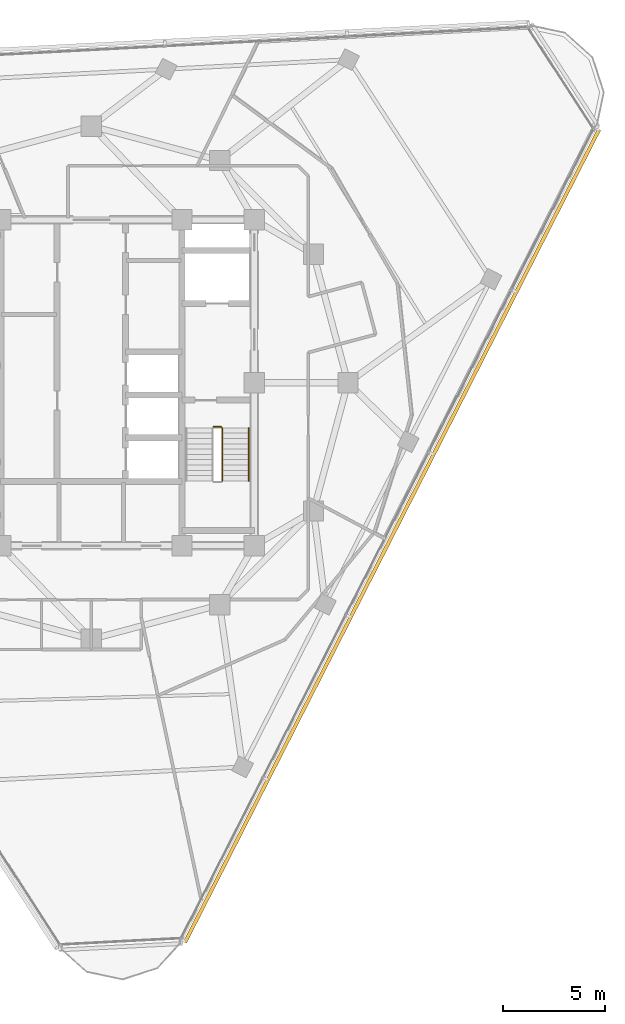
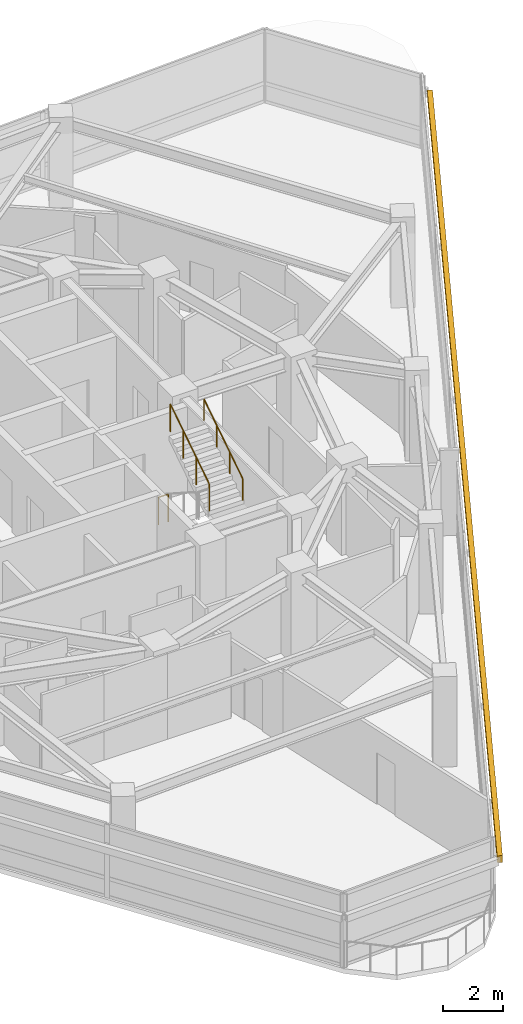
# One storey, part 13 of 15: 3 railings, 1 shading device.
"""IFC4 building model written with IfcOpenShell, lengths in metres."""

from ifc_helpers import new_model, si_unit, direction, frame, origin, origin_2d, place, context, subcontext, project, spatial, rectangle, circle, extrude, material, layer, layer_set, type_object, element, save


model = new_model("IFC4")

# Units and contexts
model_context = context("Model", 3, precision=1e-05, world=origin(), true_north=direction((0.0, 1.0)))
body_context = subcontext(model_context, "Body", "Model", "MODEL_VIEW")
ifc_project = project(units=[si_unit("LENGTHUNIT", "METRE"), si_unit("AREAUNIT", "SQUARE_METRE"), si_unit("VOLUMEUNIT", "CUBIC_METRE"), si_unit("PLANEANGLEUNIT", "RADIAN"), si_unit("MASSUNIT", "GRAM", prefix="KILO")], contexts=[model_context])

# Site, building, storey
site_placement = place(None, origin())
site = spatial("IfcSite", under=ifc_project, at=site_placement, CompositionType="ELEMENT")
building_placement = place(site_placement, origin())
building = spatial("IfcBuilding", under=site, at=building_placement, Name="Terralouvre Media Tower", CompositionType="ELEMENT")
storey_placement = place(building_placement, frame((0.0, 0.0, 263.300048828125)))
storey = spatial("IfcBuildingStorey", under=building, at=storey_placement, Name="L68", CompositionType="ELEMENT", Elevation=263.300048828125)

# Railings
ifc_material_1 = material(Name="Stainless steel 316 handrail and balustrade", Category="steel")
ifc_layer_1 = layer(ifc_material_1, 0.050048828125, Name="Stair Flight Wall Handrail HR-INT1")
ifc_layer_set_1 = layer_set([ifc_layer_1], Name="Stainless steel 316 handrail and balustrade")
railing_type_1 = type_object("IfcRailingType", Name="Stair Flight Wall Handrail HR-INT1", PredefinedType="HANDRAIL", material=ifc_layer_set_1)
railing_1_placement = place(storey_placement, frame((7.72998046875, -4.820068359375, 2.01806640625)))
element("IfcRailing", 1, at=railing_1_placement, inside=storey, type_object=railing_type_1, Name="L68 ST-02 stair handrail 2", PredefinedType="HANDRAIL", context=body_context, shape_type="SweptSolid", body=[
    extrude(circle(Radius=0.02392578125, at=origin_2d()), frame((0.0, 0.0, 0.8759765625), z_axis=(0.0, 0.839648411786, 0.543130320075), x_axis=(-1.0, 0.0, 0.0)), (0.0, 0.0, 1.0), 3.0966796875),
    extrude(circle(Radius=0.02099609375, at=origin_2d()), origin(), (0.0, 0.0, 1.0), 0.851806640625),
    extrude(circle(Radius=0.02099609375, at=origin_2d()), frame((0.0, 0.86669921875, 0.560546875)), (0.0, 0.0, 1.0), 0.851806640625),
    extrude(circle(Radius=0.02099609375, at=origin_2d()), frame((0.0, 1.7333984375, 1.121337890625)), (0.0, 0.0, 1.0), 0.851806640625),
    extrude(circle(Radius=0.02099609375, at=origin_2d()), frame((0.0, 2.60009765625, 1.681884765625)), (0.0, 0.0, 1.0), 0.851806640625),
])
ifc_material_2 = material(Name="Stainless steel 316 handrail and balustrade", Category="steel")
ifc_layer_2 = layer(ifc_material_2, 0.050048828125, Name="Stairwell Safety Guardrail GR-INT1")
ifc_layer_set_2 = layer_set([ifc_layer_2], Name="Stainless steel 316 handrail and balustrade")
railing_type_2 = type_object("IfcRailingType", Name="Stairwell Safety Guardrail GR-INT1", PredefinedType="GUARDRAIL", material=ifc_layer_set_2)
railing_2_placement = place(storey_placement, frame((6.429931640625, -4.820068359375, 2.01806640625)))
element("IfcRailing", 2, at=railing_2_placement, inside=storey, type_object=railing_type_2, Name="L68 ST-02 stair guard 3", PredefinedType="GUARDRAIL", context=body_context, shape_type="SweptSolid", body=[
    extrude(circle(Radius=0.02392578125, at=origin_2d()), frame((0.0, 0.0, 1.1259765625), z_axis=(0.0, 0.839648411786, 0.543130320075), x_axis=(-1.0, 0.0, 0.0)), (0.0, 0.0, 1.0), 3.0966796875),
    extrude(circle(Radius=0.02099609375, at=origin_2d()), origin(), (0.0, 0.0, 1.0), 1.101806640625),
    extrude(circle(Radius=0.02099609375, at=origin_2d()), frame((0.0, 0.86669921875, 0.560546875)), (0.0, 0.0, 1.0), 1.101806640625),
    extrude(circle(Radius=0.02099609375, at=origin_2d()), frame((0.0, 1.7333984375, 1.121337890625)), (0.0, 0.0, 1.0), 1.101806640625),
    extrude(circle(Radius=0.02099609375, at=origin_2d()), frame((0.0, 2.60009765625, 1.681884765625)), (0.0, 0.0, 1.0), 1.101806640625),
])
railing_3_placement = place(storey_placement, frame((6.0, -2.169921875, 0.0)))
element("IfcRailing", 3, at=railing_3_placement, inside=storey, type_object=railing_type_2, Name="L68 ST-02 stair guard 4", PredefinedType="GUARDRAIL", context=body_context, shape_type="SweptSolid", body=[
    extrude(circle(Radius=0.02392578125, at=origin_2d()), frame((0.0, 0.0, 1.1259765625), z_axis=(1.0, 0.0, 0.0), x_axis=(0.0, 1.0, 0.0)), (0.0, 0.0, 1.0), 0.3798828125),
    extrude(circle(Radius=0.02099609375, at=origin_2d()), origin(), (0.0, 0.0, 1.0), 1.101806640625),
    extrude(circle(Radius=0.02099609375, at=origin_2d()), frame((0.3798828125, 0.0, 0.0)), (0.0, 0.0, 1.0), 1.101806640625),
])

# Shading device
ifc_material_3 = material(Name="Extruded terracotta baguette sunshade louvres", Category="masonry")
shading_device_type = type_object("IfcShadingDeviceType", Name="Terracotta Baguette Sunshade Louvre Screen TB-LV1", PredefinedType="USERDEFINED", material=ifc_material_3)
shading_device_placement = place(storey_placement, frame((14.766357421875, -7.52392578125, 2.02392578125), z_axis=(0.0, 0.0, 1.0), x_axis=(0.45399044259, 0.891006553308, 0.0)))
element("IfcShadingDevice", 4, at=shading_device_placement, inside=storey, type_object=shading_device_type, Name="CW-L68-F0 Terracotta Baguette Sunshade Louvre", ObjectType="BAGUETTE", PredefinedType="USERDEFINED", context=body_context, shape_type="SweptSolid", body=[
    extrude(rectangle(XDim=44.800048828125, YDim=0.179931640625, at=origin_2d()), origin(), (0.0, 0.0, 1.0), 0.280029296875),
])

save(model, "model.ifc")
